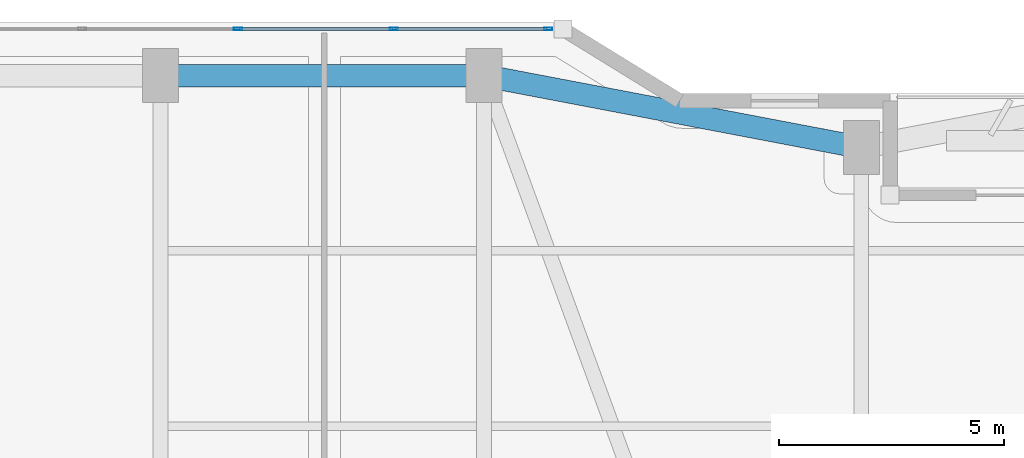
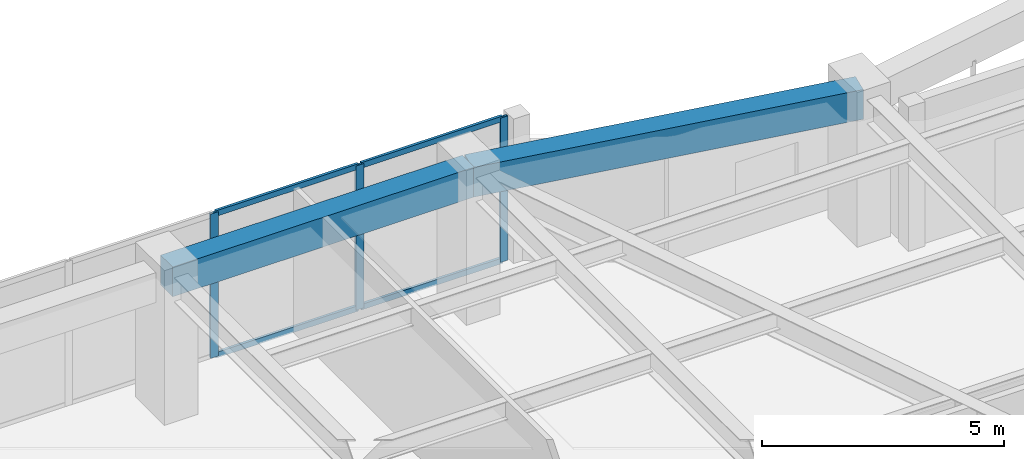
# One storey, part 14 of 24: 7 members, 2 beams, 1 element without a shape of its own.
"""IFC4 building model written with IfcOpenShell, lengths in metres."""

from ifc_helpers import new_model, si_unit, direction, frame, origin, origin_2d, place, context, subcontext, project, spatial, rectangle, hollow_rectangle, extrude, material, layer, layer_set, material_profile, profile_set, type_object, element, aggregate, save


model = new_model("IFC4")

# Units and contexts
model_context = context("Model", 3, precision=1e-05, world=origin(), true_north=direction((0.0, 1.0)))
body_context = subcontext(model_context, "Body", "Model", "MODEL_VIEW")
ifc_project = project(units=[si_unit("LENGTHUNIT", "METRE"), si_unit("AREAUNIT", "SQUARE_METRE"), si_unit("VOLUMEUNIT", "CUBIC_METRE"), si_unit("PLANEANGLEUNIT", "RADIAN"), si_unit("MASSUNIT", "GRAM", prefix="KILO")], contexts=[model_context])

# Site, building, storey
site_placement = place(None, origin())
site = spatial("IfcSite", under=ifc_project, at=site_placement, CompositionType="ELEMENT")
building_placement = place(site_placement, origin())
building = spatial("IfcBuilding", under=site, at=building_placement, Name="Kiyonajd Concourse Tower", CompositionType="ELEMENT")
storey_placement = place(building_placement, frame((0.0, 0.0, 117.0)))
storey = spatial("IfcBuildingStorey", under=building, at=storey_placement, Name="L30", CompositionType="ELEMENT", Elevation=117.0)

# Beams
ifc_material_1 = material(Name="Precast concrete C50/60", Category="concrete")
ifc_material_profile_1 = material_profile(ifc_material_1, rectangle(XDim=0.5, YDim=0.75, at=origin_2d()), Name="RCBM-500x750")
ifc_profile_set_1 = profile_set([ifc_material_profile_1], Name="Precast concrete C50/60")
beam_type = type_object("IfcBeamType", Name="BM-SPAN-RC", PredefinedType="SPANDREL", material=ifc_profile_set_1)
beam_1_placement = place(storey_placement, frame((48.0, 59.60009765625, 3.264892578125), z_axis=(-0.982341315253, 0.187097675953, 0.0), x_axis=(-0.187097675953, -0.982341315253, 0.0)))
element("IfcBeam", 1, at=beam_1_placement, inside=storey, type_object=beam_type, Name="L30 Perimeter Bundled Tube Spandrel", PredefinedType="SPANDREL", context=body_context, shape_type="SweptSolid", body=[
    extrude(rectangle(XDim=0.5, YDim=0.75, at=origin_2d()), origin(), (0.0, 0.0, 1.0), 8.55078125),
])
beam_2_placement = place(storey_placement, frame((39.60009765625, 61.199951171875, 3.264892578125), z_axis=(-1.0, 0.0, 0.0), x_axis=(0.0, -1.0, 0.0)))
element("IfcBeam", 2, at=beam_2_placement, inside=storey, type_object=beam_type, Name="L30 Perimeter Bundled Tube Spandrel", PredefinedType="SPANDREL", context=body_context, shape_type="SweptSolid", body=[
    extrude(rectangle(XDim=0.5, YDim=0.75, at=origin_2d()), origin(), (0.0, 0.0, 1.0), 7.2001953125),
])

# Curtain wall, members
ifc_material_2 = material(Name="Thermally Broken Anodised Aluminium", Category="aluminium")
ifc_layer = layer(ifc_material_2, 0.179931640625)
ifc_layer_set = layer_set([ifc_layer], Name="Thermally Broken Anodised Aluminium")
curtain_wall_type = type_object("IfcCurtainWallType", Name="CW-SYS-03", PredefinedType="NOTDEFINED", material=ifc_layer_set)
curtain_wall_placement = place(storey_placement, origin())
curtain_wall = element("IfcCurtainWall", 3, at=curtain_wall_placement, inside=storey, type_object=curtain_wall_type, Name="L30 Unitised Curtain Wall CW3", PredefinedType="NOTDEFINED")
ifc_material_profile_2 = material_profile(ifc_material_2, hollow_rectangle(XDim=0.06494140625, YDim=0.179931640625, WallThickness=0.00390625, at=origin_2d()), Name="MULL-65x180")
ifc_profile_set_2 = profile_set([ifc_material_profile_2], Name="Thermally Broken Anodised Aluminium")
member_type_1 = type_object("IfcMemberType", Name="MB-CW-MULL1", PredefinedType="MULLION", material=ifc_profile_set_2)
member_1_placement = place(storey_placement, frame((34.123291015625, 62.239990234375, 0.0), z_axis=(0.0, 0.0, 1.0), x_axis=(0.0, 1.0, 0.0)))
member_1 = element("IfcMember", 4, at=member_1_placement, type_object=member_type_1, Name="CW3 mullion 4", PredefinedType="MULLION", context=body_context, shape_type="SweptSolid", body=[
    extrude(hollow_rectangle(XDim=0.06494140625, YDim=0.179931640625, WallThickness=0.00390625, at=origin_2d()), origin(), (0.0, 0.0, 1.0), 3.639892578125),
])
member_2_placement = place(storey_placement, frame((37.593994140625, 62.239990234375, 0.0), z_axis=(0.0, 0.0, 1.0), x_axis=(0.0, 1.0, 0.0)))
member_2 = element("IfcMember", 5, at=member_2_placement, type_object=member_type_1, Name="CW3 mullion 5", PredefinedType="MULLION", context=body_context, shape_type="SweptSolid", body=[
    extrude(hollow_rectangle(XDim=0.06494140625, YDim=0.179931640625, WallThickness=0.00390625, at=origin_2d()), origin(), (0.0, 0.0, 1.0), 3.639892578125),
])
member_3_placement = place(storey_placement, frame((41.0322265625, 62.239990234375, 0.0), z_axis=(0.0, 0.0, 1.0), x_axis=(0.0, 1.0, 0.0)))
member_3 = element("IfcMember", 6, at=member_3_placement, type_object=member_type_1, Name="CW3 mullion 6", PredefinedType="MULLION", context=body_context, shape_type="SweptSolid", body=[
    extrude(hollow_rectangle(XDim=0.06494140625, YDim=0.179931640625, WallThickness=0.00390625, at=origin_2d()), origin(), (0.0, 0.0, 1.0), 3.639892578125),
])
ifc_material_profile_3 = material_profile(ifc_material_2, hollow_rectangle(XDim=0.06494140625, YDim=0.139892578125, WallThickness=0.00390625, at=origin_2d()), Name="TRAN-65x140")
ifc_profile_set_3 = profile_set([ifc_material_profile_3], Name="Thermally Broken Anodised Aluminium")
member_type_2 = type_object("IfcMemberType", Name="MB-CW-TRAN1", PredefinedType="USERDEFINED", material=ifc_profile_set_3)
member_4_placement = place(storey_placement, frame((34.15576171875, 62.239990234375, 0.032470703125), z_axis=(1.0, 0.0, 0.0), x_axis=(0.0, 1.0, 0.0)))
member_4 = element("IfcMember", 7, at=member_4_placement, type_object=member_type_2, Name="CW3 transom 4.1", ObjectType="TRANSOM", PredefinedType="USERDEFINED", context=body_context, shape_type="SweptSolid", body=[
    extrude(hollow_rectangle(XDim=0.06494140625, YDim=0.139892578125, WallThickness=0.00390625, at=origin_2d()), origin(), (0.0, 0.0, 1.0), 3.40576171875),
])
member_5_placement = place(storey_placement, frame((34.15576171875, 62.239990234375, 3.607421875), z_axis=(1.0, 0.0, 0.0), x_axis=(0.0, 1.0, 0.0)))
member_5 = element("IfcMember", 8, at=member_5_placement, type_object=member_type_2, Name="CW3 transom 4.2", ObjectType="TRANSOM", PredefinedType="USERDEFINED", context=body_context, shape_type="SweptSolid", body=[
    extrude(hollow_rectangle(XDim=0.06494140625, YDim=0.139892578125, WallThickness=0.00390625, at=origin_2d()), origin(), (0.0, 0.0, 1.0), 3.40576171875),
])
member_6_placement = place(storey_placement, frame((37.62646484375, 62.239990234375, 0.032470703125), z_axis=(1.0, 0.0, 0.0), x_axis=(0.0, 1.0, 0.0)))
member_6 = element("IfcMember", 9, at=member_6_placement, type_object=member_type_2, Name="CW3 transom 5.1", ObjectType="TRANSOM", PredefinedType="USERDEFINED", context=body_context, shape_type="SweptSolid", body=[
    extrude(hollow_rectangle(XDim=0.06494140625, YDim=0.139892578125, WallThickness=0.00390625, at=origin_2d()), origin(), (0.0, 0.0, 1.0), 3.373291015625),
])
member_7_placement = place(storey_placement, frame((37.62646484375, 62.239990234375, 3.607421875), z_axis=(1.0, 0.0, 0.0), x_axis=(0.0, 1.0, 0.0)))
member_7 = element("IfcMember", 10, at=member_7_placement, type_object=member_type_2, Name="CW3 transom 5.2", ObjectType="TRANSOM", PredefinedType="USERDEFINED", context=body_context, shape_type="SweptSolid", body=[
    extrude(hollow_rectangle(XDim=0.06494140625, YDim=0.139892578125, WallThickness=0.00390625, at=origin_2d()), origin(), (0.0, 0.0, 1.0), 3.373291015625),
])
aggregate(curtain_wall, [member_1, member_2, member_3, member_4, member_5, member_6, member_7])

save(model, "model.ifc")
